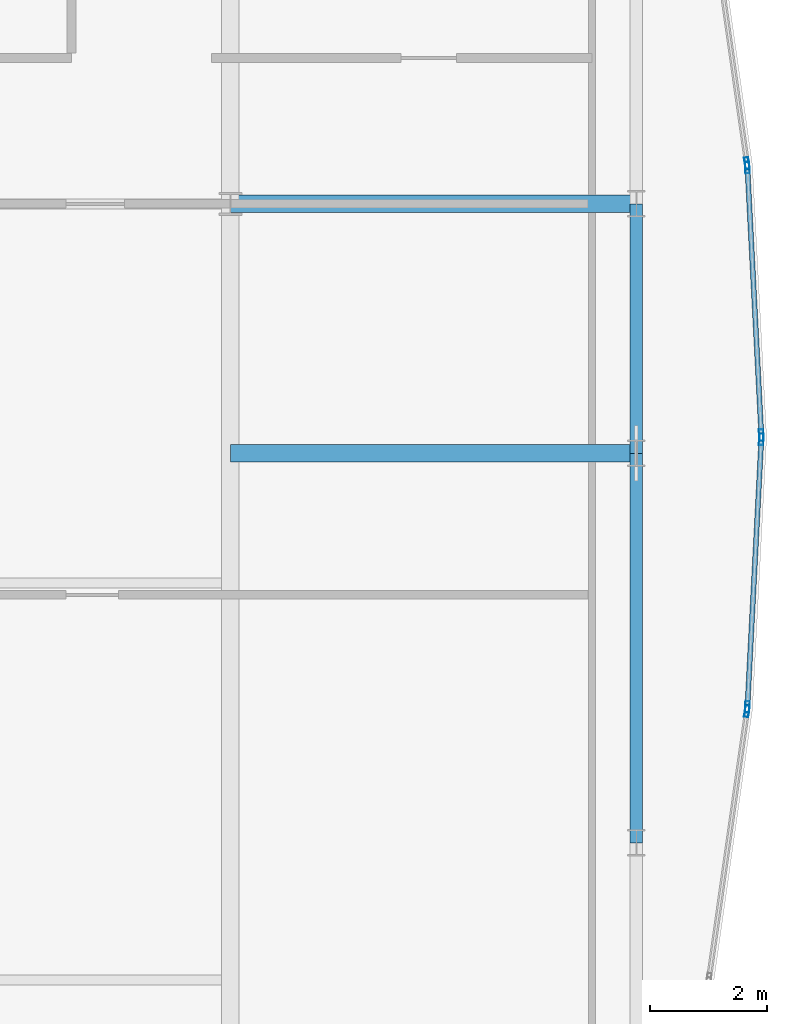
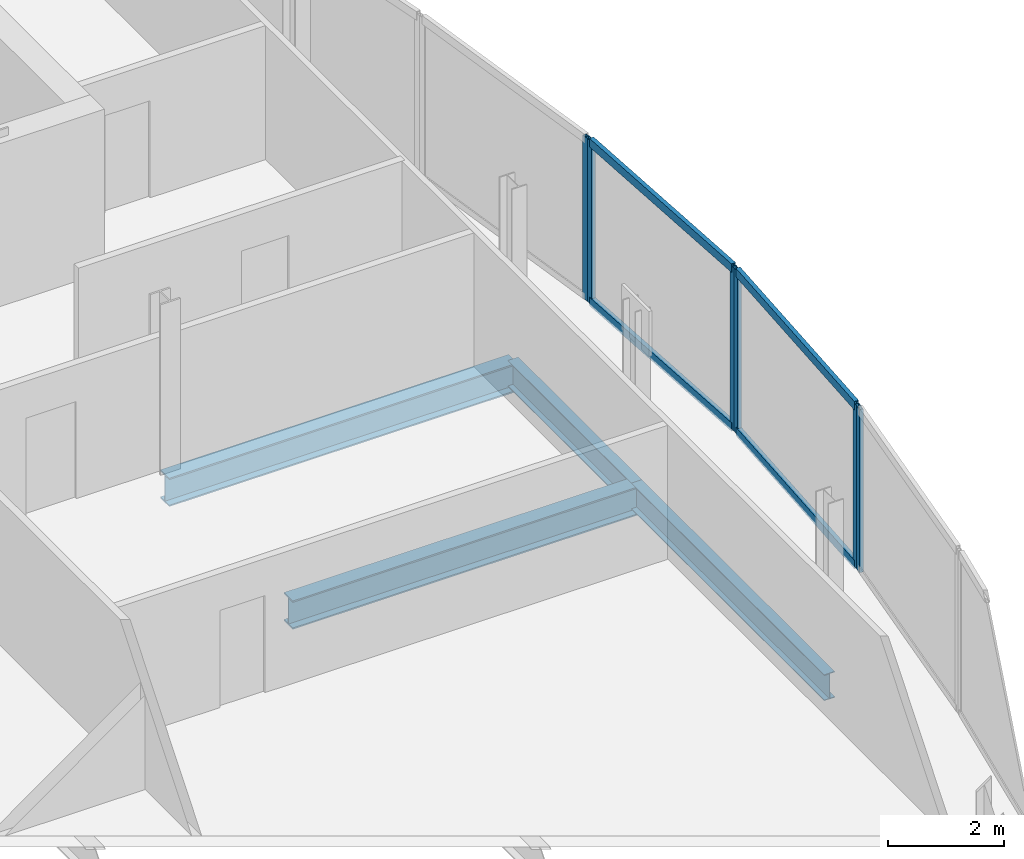
# One storey, part 16 of 27: 10 members, 4 beams, 4 elements without a shape of their own.
"""IFC4 building model written with IfcOpenShell, lengths in metres."""

from ifc_helpers import new_model, si_unit, direction, frame, origin, origin_2d, place, context, subcontext, project, spatial, hollow_rectangle, i_section, extrude, material, material_profile, profile_set, type_object, element, aggregate, save


model = new_model("IFC4")

# Units and contexts
model_context = context("Model", 3, precision=1e-05, world=origin(), true_north=direction((0.0, 1.0)))
body_context = subcontext(model_context, "Body", "Model", "MODEL_VIEW")
ifc_project = project(units=[si_unit("LENGTHUNIT", "METRE"), si_unit("AREAUNIT", "SQUARE_METRE"), si_unit("VOLUMEUNIT", "CUBIC_METRE"), si_unit("PLANEANGLEUNIT", "RADIAN"), si_unit("MASSUNIT", "GRAM", prefix="KILO")], contexts=[model_context])

# Site, building, storey
site_placement = place(None, origin())
site = spatial("IfcSite", under=ifc_project, at=site_placement, CompositionType="ELEMENT")
building_placement = place(site_placement, origin())
building = spatial("IfcBuilding", under=site, at=building_placement, Name="Khoronbel Lancet Exchange", CompositionType="ELEMENT")
storey_placement = place(building_placement, frame((0.0, 0.0, 332.60009765625)))
storey = spatial("IfcBuildingStorey", under=building, at=storey_placement, Name="L86", CompositionType="ELEMENT", Elevation=332.60009765625)

# Beams
ifc_material_1 = material(Name="Steel S355", Category="steel")
ifc_material_profile_1 = material_profile(ifc_material_1, i_section(OverallWidth=0.300048828125, OverallDepth=0.60009765625, WebThickness=0.015380859375, FlangeThickness=0.030029296875, at=origin_2d()), Name="HEB 600")
ifc_profile_set_1 = profile_set([ifc_material_profile_1], Name="Steel S355")
beam_type_1 = type_object("IfcBeamType", Name="BM-BG5", PredefinedType="BEAM", material=ifc_profile_set_1)
for number, where, z_axis, x_axis, name in (
    (1, (54.675048828125, 31.425048828125, -0.460205078125), (1.0, 0.0, 0.0), (0.0, 1.0, 0.0), "Level L86 east lens tie girder LG2E"),
    (2, (54.675048828125, 35.699951171875, -0.460205078125), (1.0, 0.0, 0.0), (0.0, 1.0, 0.0), "Level L86 east lens tie girder LG4E"),
):
    element("IfcBeam", number, at=place(storey_placement, frame(where, z_axis=z_axis, x_axis=x_axis)), inside=storey, type_object=beam_type_1, Name=name, PredefinedType="BEAM", context=body_context, shape_type="SweptSolid", body=[
        extrude(i_section(OverallWidth=0.300048828125, OverallDepth=0.60009765625, WebThickness=0.015380859375, FlangeThickness=0.030029296875, at=origin_2d()), origin(), (0.0, 0.0, 1.0), 6.954833984375),
    ])
ifc_material_profile_2 = material_profile(ifc_material_1, i_section(OverallWidth=0.2099609375, OverallDepth=0.550048828125, WebThickness=0.010986328125, FlangeThickness=0.01708984375, at=origin_2d()), Name="IPE 550")
ifc_profile_set_2 = profile_set([ifc_material_profile_2], Name="Steel S355")
beam_type_2 = type_object("IfcBeamType", Name="BM-BSP3", PredefinedType="SPANDREL", material=ifc_profile_set_2)
beam_1_placement = place(storey_placement, frame((61.6298828125, 24.75, -0.43505859375), z_axis=(0.0, 1.0, 0.0), x_axis=(-1.0, 0.0, 0.0)))
element("IfcBeam", 3, at=beam_1_placement, inside=storey, type_object=beam_type_2, Name="Level L86 perimeter spandrel beam SP10", PredefinedType="SPANDREL", context=body_context, shape_type="SweptSolid", body=[
    extrude(i_section(OverallWidth=0.2099609375, OverallDepth=0.550048828125, WebThickness=0.010986328125, FlangeThickness=0.01708984375, at=origin_2d()), origin(), (0.0, 0.0, 1.0), 6.675048828125),
])
beam_2_placement = place(storey_placement, frame((61.6298828125, 31.425048828125, -0.43505859375), z_axis=(0.0, 1.0, 0.0), x_axis=(-1.0, 0.0, 0.0)))
element("IfcBeam", 4, at=beam_2_placement, inside=storey, type_object=beam_type_2, Name="Level L86 perimeter spandrel beam SP11", PredefinedType="SPANDREL", context=body_context, shape_type="SweptSolid", body=[
    extrude(i_section(OverallWidth=0.2099609375, OverallDepth=0.550048828125, WebThickness=0.010986328125, FlangeThickness=0.01708984375, at=origin_2d()), origin(), (0.0, 0.0, 1.0), 4.27490234375),
])

# Curtain wall, member
ifc_material_2 = material(Name="Low-E Solar Control Insulating Glass", Category="glass")
curtain_wall_type = type_object("IfcCurtainWallType", Name="CW-4", PredefinedType="NOTDEFINED", material=ifc_material_2)
curtain_wall_1_placement = place(storey_placement, origin())
curtain_wall_1 = element("IfcCurtainWall", 5, at=curtain_wall_1_placement, inside=storey, type_object=curtain_wall_type, Name="Unitised curtain wall CW-L86-E18", PredefinedType="NOTDEFINED")
ifc_material_3 = material(Name="Bronze-Anodised Aluminium 6063-T6", Category="aluminium")
ifc_material_profile_3 = material_profile(ifc_material_3, hollow_rectangle(XDim=0.074951171875, YDim=0.199951171875, WallThickness=0.0048828125, at=origin_2d()), Name="ALU MULLION 75x200")
ifc_profile_set_3 = profile_set([ifc_material_profile_3], Name="Bronze-Anodised Aluminium 6063-T6")
member_type_1 = type_object("IfcMemberType", Name="MEM-CWM2", PredefinedType="MULLION", material=ifc_profile_set_3)
member_1_placement = place(storey_placement, frame((63.525390625, 36.39501953125, 0.0), z_axis=(0.0, 0.0, 1.0), x_axis=(0.990037673837, 0.140802714401, 0.0)))
member_1 = element("IfcMember", 6, at=member_1_placement, type_object=member_type_1, Name="CW4 mullion 2", PredefinedType="MULLION", context=body_context, shape_type="SweptSolid", body=[
    extrude(hollow_rectangle(XDim=0.074951171875, YDim=0.199951171875, WallThickness=0.0048828125, at=origin_2d()), origin(), (0.0, 0.0, 1.0), 3.43994140625),
])
aggregate(curtain_wall_1, [member_1])

# Curtain wall, members
curtain_wall_2_placement = place(storey_placement, origin())
curtain_wall_2 = element("IfcCurtainWall", 7, at=curtain_wall_2_placement, inside=storey, type_object=curtain_wall_type, Name="Unitised curtain wall CW-L86-E19", PredefinedType="NOTDEFINED")
member_2_placement = place(storey_placement, frame((63.532470703125, 36.320556640625, 0.0), z_axis=(0.0, 0.0, 1.0), x_axis=(0.998647576212, 0.051990561885, 0.0)))
member_2 = element("IfcMember", 8, at=member_2_placement, type_object=member_type_1, Name="CW4 mullion 1", PredefinedType="MULLION", context=body_context, shape_type="SweptSolid", body=[
    extrude(hollow_rectangle(XDim=0.074951171875, YDim=0.199951171875, WallThickness=0.0048828125, at=origin_2d()), origin(), (0.0, 0.0, 1.0), 3.43994140625),
])
member_3_placement = place(storey_placement, frame((63.771240234375, 31.737548828125, 0.0), z_axis=(0.0, 0.0, 1.0), x_axis=(0.998647576212, 0.051990561885, 0.0)))
member_3 = element("IfcMember", 9, at=member_3_placement, type_object=member_type_1, Name="CW4 mullion 2", PredefinedType="MULLION", context=body_context, shape_type="SweptSolid", body=[
    extrude(hollow_rectangle(XDim=0.074951171875, YDim=0.199951171875, WallThickness=0.0048828125, at=origin_2d()), origin(), (0.0, 0.0, 1.0), 3.43994140625),
])

curtain_wall_3_placement = place(storey_placement, origin())
curtain_wall_3 = element("IfcCurtainWall", 10, at=curtain_wall_3_placement, inside=storey, type_object=curtain_wall_type, Name="Unitised curtain wall CW-L86-E20", PredefinedType="NOTDEFINED")
member_4_placement = place(storey_placement, frame((63.771240234375, 31.66259765625, 0.0), z_axis=(0.0, 0.0, 1.0), x_axis=(0.998647576212, -0.051990561885, 0.0)))
member_4 = element("IfcMember", 11, at=member_4_placement, type_object=member_type_1, Name="CW4 mullion 1", PredefinedType="MULLION", context=body_context, shape_type="SweptSolid", body=[
    extrude(hollow_rectangle(XDim=0.074951171875, YDim=0.199951171875, WallThickness=0.0048828125, at=origin_2d()), origin(), (0.0, 0.0, 1.0), 3.43994140625),
])
member_5_placement = place(storey_placement, frame((63.532470703125, 27.079345703125, 0.0), z_axis=(0.0, 0.0, 1.0), x_axis=(0.998647576212, -0.051990561885, 0.0)))
member_5 = element("IfcMember", 12, at=member_5_placement, type_object=member_type_1, Name="CW4 mullion 2", PredefinedType="MULLION", context=body_context, shape_type="SweptSolid", body=[
    extrude(hollow_rectangle(XDim=0.074951171875, YDim=0.199951171875, WallThickness=0.0048828125, at=origin_2d()), origin(), (0.0, 0.0, 1.0), 3.43994140625),
])

# Curtain wall, member
curtain_wall_4_placement = place(storey_placement, origin())
curtain_wall_4 = element("IfcCurtainWall", 13, at=curtain_wall_4_placement, inside=storey, type_object=curtain_wall_type, Name="Unitised curtain wall CW-L86-E21", PredefinedType="NOTDEFINED")
member_6_placement = place(storey_placement, frame((63.525390625, 27.0048828125, 0.0), z_axis=(0.0, 0.0, 1.0), x_axis=(0.990037673837, -0.140802714401, 0.0)))
member_6 = element("IfcMember", 14, at=member_6_placement, type_object=member_type_1, Name="CW4 mullion 1", PredefinedType="MULLION", context=body_context, shape_type="SweptSolid", body=[
    extrude(hollow_rectangle(XDim=0.074951171875, YDim=0.199951171875, WallThickness=0.0048828125, at=origin_2d()), origin(), (0.0, 0.0, 1.0), 3.43994140625),
])
aggregate(curtain_wall_4, [member_6])

# Member
ifc_material_profile_4 = material_profile(ifc_material_3, hollow_rectangle(XDim=0.0849609375, YDim=0.179931640625, WallThickness=0.0048828125, at=origin_2d()), Name="ALU TRANSOM 85x180")
ifc_profile_set_4 = profile_set([ifc_material_profile_4], Name="Bronze-Anodised Aluminium 6063-T6")
member_type_2 = type_object("IfcMemberType", Name="MEM-CWT1", PredefinedType="USERDEFINED", material=ifc_profile_set_4)
member_7_placement = place(storey_placement, frame((63.534423828125, 36.283203125, 0.04248046875), z_axis=(0.052025194047, -0.998645772626, 0.0), x_axis=(0.998645772626, 0.052025194047, 0.0)))
member_7 = element("IfcMember", 15, at=member_7_placement, type_object=member_type_2, Name="CW4 transom 1.1", ObjectType="TRANSOM", PredefinedType="USERDEFINED", context=body_context, shape_type="SweptSolid", body=[
    extrude(hollow_rectangle(XDim=0.0849609375, YDim=0.179931640625, WallThickness=0.0048828125, at=origin_2d()), origin(), (0.0, 0.0, 1.0), 4.514404296875),
])

member_8_placement = place(storey_placement, frame((63.534423828125, 36.283203125, 3.3974609375), z_axis=(0.052025194047, -0.998645772626, 0.0), x_axis=(0.998645772626, 0.052025194047, 0.0)))
member_8 = element("IfcMember", 16, at=member_8_placement, type_object=member_type_2, Name="CW4 transom 1.2", ObjectType="TRANSOM", PredefinedType="USERDEFINED", context=body_context, shape_type="SweptSolid", body=[
    extrude(hollow_rectangle(XDim=0.0849609375, YDim=0.179931640625, WallThickness=0.0048828125, at=origin_2d()), origin(), (0.0, 0.0, 1.0), 4.514404296875),
])

aggregate(curtain_wall_2, [member_2, member_3, member_7, member_8])

member_9_placement = place(storey_placement, frame((63.769287109375, 31.625, 0.04248046875), z_axis=(-0.052028003923, -0.99864562624, 0.0), x_axis=(0.99864562624, -0.052028003923, 0.0)))
member_9 = element("IfcMember", 17, at=member_9_placement, type_object=member_type_2, Name="CW4 transom 1.1", ObjectType="TRANSOM", PredefinedType="USERDEFINED", context=body_context, shape_type="SweptSolid", body=[
    extrude(hollow_rectangle(XDim=0.0849609375, YDim=0.179931640625, WallThickness=0.0048828125, at=origin_2d()), origin(), (0.0, 0.0, 1.0), 4.51416015625),
])

member_10_placement = place(storey_placement, frame((63.769287109375, 31.625, 3.3974609375), z_axis=(-0.052028003923, -0.99864562624, 0.0), x_axis=(0.99864562624, -0.052028003923, 0.0)))
member_10 = element("IfcMember", 18, at=member_10_placement, type_object=member_type_2, Name="CW4 transom 1.2", ObjectType="TRANSOM", PredefinedType="USERDEFINED", context=body_context, shape_type="SweptSolid", body=[
    extrude(hollow_rectangle(XDim=0.0849609375, YDim=0.179931640625, WallThickness=0.0048828125, at=origin_2d()), origin(), (0.0, 0.0, 1.0), 4.51416015625),
])

aggregate(curtain_wall_3, [member_4, member_5, member_9, member_10])

save(model, "model.ifc")
